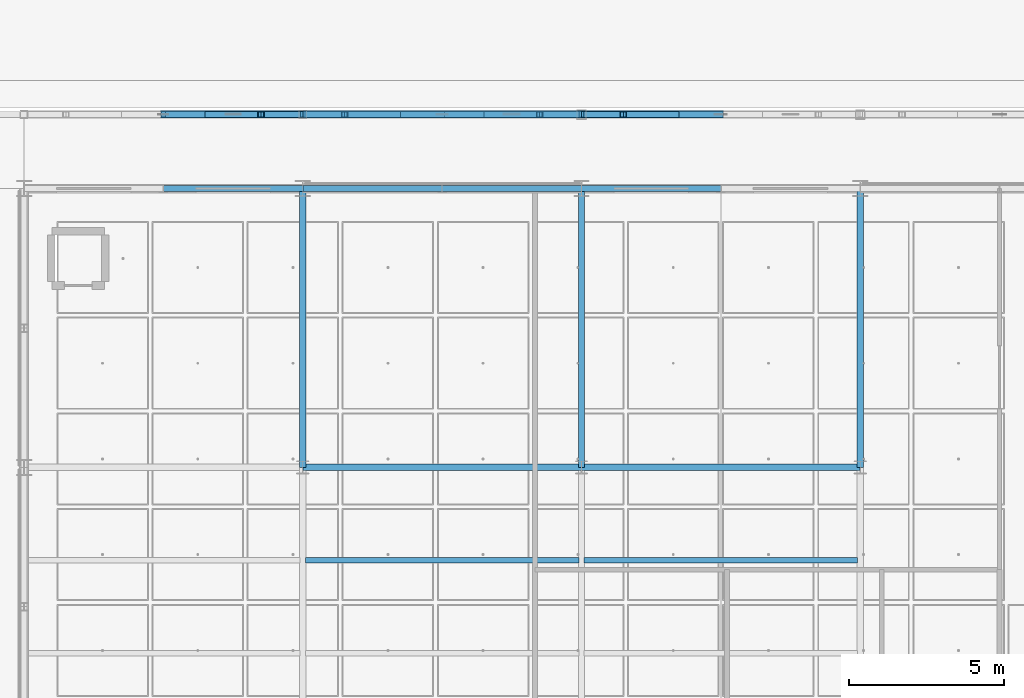
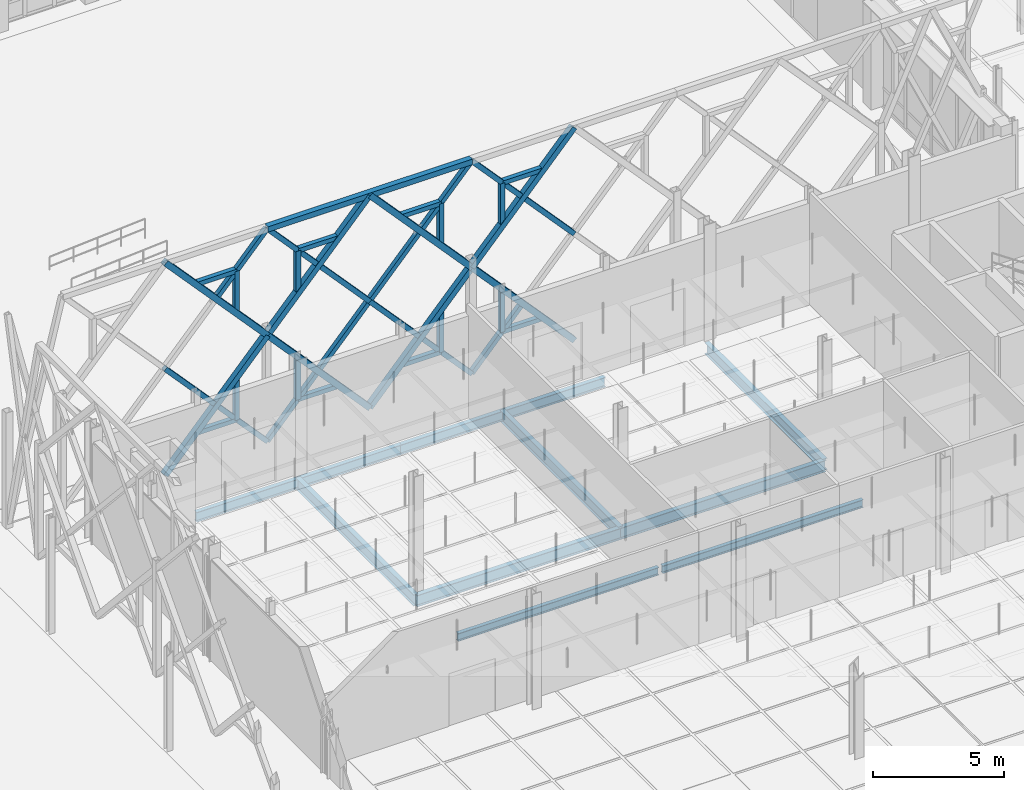
# One storey, part 43 of 180: 38 members, 11 beams.
"""IFC4 building model written with IfcOpenShell, lengths in metres."""

from ifc_helpers import new_model, si_unit, direction, frame, origin, origin_2d, place, context, subcontext, project, spatial, hollow_rectangle, i_section, extrude, material, material_profile, profile_set, type_object, element, save


model = new_model("IFC4")

# Units and contexts
model_context = context("Model", 3, precision=1e-05, world=origin(), true_north=direction((0.0, 1.0)))
body_context = subcontext(model_context, "Body", "Model", "MODEL_VIEW")
ifc_project = project(units=[si_unit("LENGTHUNIT", "METRE"), si_unit("AREAUNIT", "SQUARE_METRE"), si_unit("VOLUMEUNIT", "CUBIC_METRE"), si_unit("PLANEANGLEUNIT", "RADIAN"), si_unit("MASSUNIT", "GRAM", prefix="KILO"), si_unit("THERMODYNAMICTEMPERATUREUNIT", "KELVIN"), si_unit("POWERUNIT", "WATT")], contexts=[model_context])

# Site, building, storey
site_placement = place(None, origin())
site = spatial("IfcSite", under=ifc_project, at=site_placement, CompositionType="ELEMENT")
building_placement = place(site_placement, origin())
building = spatial("IfcBuilding", under=site, at=building_placement, Name="Tallowbark Science Centre", CompositionType="ELEMENT")
storey_placement = place(building_placement, origin())
storey = spatial("IfcBuildingStorey", under=building, at=storey_placement, Name="L00", CompositionType="ELEMENT", Elevation=0.0)

# Beams
ifc_material_1 = material(Name="Structural Steel Grade 300PLUS (300 MPa)", Category="steel")
ifc_material_profile_1 = material_profile(ifc_material_1, i_section(OverallWidth=0.208984375, OverallDepth=0.532958984375, WebThickness=0.01025390625, FlangeThickness=0.015625, FilletRadius=0.013916015625, at=origin_2d()), Name="530UB92.4")
ifc_profile_set_1 = profile_set([ifc_material_profile_1], Name="Structural Steel Grade 300PLUS (300 MPa)")
beam_type_1 = type_object("IfcBeamType", Name="BM-UB530A", PredefinedType="BEAM", material=ifc_profile_set_1)
for number, where, z_axis, x_axis, name in (
    (1, (67.5, 31.5, -0.506591796875), (1.0, 0.0, 0.0), (0.0, 1.0, 0.0), "Primary Girder GRDX-L00-675-765-315"),
    (2, (76.5, 31.5, -0.506591796875), (1.0, 0.0, 0.0), (0.0, 1.0, 0.0), "Primary Girder GRDX-L00-765-855-315"),
):
    element("IfcBeam", number, at=place(storey_placement, frame(where, z_axis=z_axis, x_axis=x_axis)), inside=storey, type_object=beam_type_1, Name=name, PredefinedType="BEAM", context=body_context, shape_type="SweptSolid", body=[
        extrude(i_section(OverallWidth=0.208984375, OverallDepth=0.532958984375, WebThickness=0.01025390625, FlangeThickness=0.015625, FilletRadius=0.013916015625, at=origin_2d()), origin(), (0.0, 0.0, 1.0), 9.0),
    ])
ifc_material_profile_2 = material_profile(ifc_material_1, i_section(OverallWidth=0.208740234375, OverallDepth=0.5283203125, WebThickness=0.009521484375, FlangeThickness=0.01318359375, FilletRadius=0.013916015625, at=origin_2d()), Name="530UB82.0")
ifc_profile_set_2 = profile_set([ifc_material_profile_2], Name="Structural Steel Grade 300PLUS (300 MPa)")
beam_type_2 = type_object("IfcBeamType", Name="BM-UB530B", PredefinedType="BEAM", material=ifc_profile_set_2)
for number, where, z_axis, x_axis, name in (
    (3, (67.5, 31.5, -0.504150390625), (0.0, 1.0, 0.0), (-1.0, 0.0, 0.0), "Primary Girder GRDY-L00-675-315-405"),
    (4, (76.5, 31.5, -0.504150390625), (0.0, 1.0, 0.0), (-1.0, 0.0, 0.0), "Primary Girder GRDY-L00-765-315-405"),
    (5, (85.5, 31.5, -0.504150390625), (0.0, 1.0, 0.0), (-1.0, 0.0, 0.0), "Primary Girder GRDY-L00-855-315-405"),
):
    element("IfcBeam", number, at=place(storey_placement, frame(where, z_axis=z_axis, x_axis=x_axis)), inside=storey, type_object=beam_type_2, Name=name, PredefinedType="BEAM", context=body_context, shape_type="SweptSolid", body=[
        extrude(i_section(OverallWidth=0.208740234375, OverallDepth=0.5283203125, WebThickness=0.009521484375, FlangeThickness=0.01318359375, FilletRadius=0.013916015625, at=origin_2d()), origin(), (0.0, 0.0, 1.0), 9.0),
    ])
ifc_material_profile_3 = material_profile(ifc_material_1, i_section(OverallWidth=0.172119140625, OverallDepth=0.358642578125, WebThickness=0.008056640625, FlangeThickness=0.012939453125, FilletRadius=0.011474609375, at=origin_2d()), Name="360UB56.7")
ifc_profile_set_3 = profile_set([ifc_material_profile_3], Name="Structural Steel Grade 300PLUS (300 MPa)")
beam_type_3 = type_object("IfcBeamType", Name="JST-UB360", PredefinedType="JOIST", material=ifc_profile_set_3)
for number, where, z_axis, x_axis, name in (
    (6, (67.5849609375, 28.5, -0.419189453125), (1.0, 0.0, 0.0), (0.0, 1.0, 0.0), "Composite Floor Joist JSTX-L00-675-285"),
    (7, (76.5849609375, 28.5, -0.419189453125), (1.0, 0.0, 0.0), (0.0, 1.0, 0.0), "Composite Floor Joist JSTX-L00-765-285"),
):
    element("IfcBeam", number, at=place(storey_placement, frame(where, z_axis=z_axis, x_axis=x_axis)), inside=storey, type_object=beam_type_3, Name=name, PredefinedType="JOIST", context=body_context, shape_type="SweptSolid", body=[
        extrude(i_section(OverallWidth=0.172119140625, OverallDepth=0.358642578125, WebThickness=0.008056640625, FlangeThickness=0.012939453125, FilletRadius=0.011474609375, at=origin_2d()), origin(), (0.0, 0.0, 1.0), 8.830078125),
    ])

# Members
ifc_material_2 = material(Name="White Architectural Painted Steel Grade C350L0 (350 MPa)", Category="steel")
ifc_material_profile_4 = material_profile(ifc_material_2, hollow_rectangle(XDim=0.25, YDim=0.25, WallThickness=0.009033203125, at=origin_2d()), Name="250x250x9.0SHS")
ifc_profile_set_4 = profile_set([ifc_material_profile_4], Name="White Architectural Painted Steel Grade C350L0 (350 MPa)")
member_type_1 = type_object("IfcMemberType", Name="SCR-CHD200", PredefinedType="CHORD", material=ifc_profile_set_4)
for number, where, z_axis, x_axis, name in (
    (8, (63.0, 42.89990234375, 0.0), (0.672676426978, 0.0, 0.739936770669), (0.0, 1.0, 0.0), "Star Screen Octagram Diamond Chord N-2-1"),
    (9, (67.5, 42.89990234375, 4.949951171875), (-0.672676426978, 0.0, 0.739936770669), (0.0, -1.0, 0.0), "Star Screen Octagram Diamond Chord N-2-2"),
):
    element("IfcMember", number, at=place(storey_placement, frame(where, z_axis=z_axis, x_axis=x_axis)), inside=storey, type_object=member_type_1, Name=name, PredefinedType="CHORD", context=body_context, shape_type="SweptSolid", body=[
        extrude(hollow_rectangle(XDim=0.25, YDim=0.25, WallThickness=0.009033203125, at=origin_2d()), origin(), (0.0, 0.0, 1.0), 6.689697265625),
    ])
member_1_placement = place(storey_placement, frame((67.5, 42.89990234375, 9.89990234375), z_axis=(1.0, 0.0, 0.0), x_axis=(0.0, 1.0, 0.0)))
element("IfcMember", 10, at=member_1_placement, inside=storey, type_object=member_type_1, Name="Star Screen Frame Chord N-4", PredefinedType="CHORD", context=body_context, shape_type="SweptSolid", body=[
    extrude(hollow_rectangle(XDim=0.25, YDim=0.25, WallThickness=0.009033203125, at=origin_2d()), origin(), (0.0, 0.0, 1.0), 9.0),
])
for number, where, z_axis, x_axis, name in (
    (11, (72.0, 42.89990234375, 0.0), (0.672676426978, 0.0, 0.739936770669), (0.0, 1.0, 0.0), "Star Screen Octagram Diamond Chord N-4-1"),
    (12, (76.5, 42.89990234375, 4.949951171875), (-0.672676426978, 0.0, 0.739936770669), (0.0, -1.0, 0.0), "Star Screen Octagram Diamond Chord N-4-2"),
    (13, (72.0, 42.89990234375, 9.89990234375), (-0.672676426978, 0.0, -0.739936770669), (0.0, -1.0, 0.0), "Star Screen Octagram Diamond Chord N-4-3"),
    (14, (67.5, 42.89990234375, 4.949951171875), (0.672676426978, 0.0, -0.739936770669), (0.0, 1.0, 0.0), "Star Screen Octagram Diamond Chord N-4-4"),
    (15, (81.0, 42.89990234375, 9.89990234375), (-0.672676426978, 0.0, -0.739936770669), (0.0, -1.0, 0.0), "Star Screen Octagram Diamond Chord N-5-3"),
    (16, (76.5, 42.89990234375, 4.949951171875), (0.672676426978, 0.0, -0.739936770669), (0.0, 1.0, 0.0), "Star Screen Octagram Diamond Chord N-5-4"),
):
    element("IfcMember", number, at=place(storey_placement, frame(where, z_axis=z_axis, x_axis=x_axis)), inside=storey, type_object=member_type_1, Name=name, PredefinedType="CHORD", context=body_context, shape_type="SweptSolid", body=[
        extrude(hollow_rectangle(XDim=0.25, YDim=0.25, WallThickness=0.009033203125, at=origin_2d()), origin(), (0.0, 0.0, 1.0), 6.689697265625),
    ])
ifc_material_profile_5 = material_profile(ifc_material_2, hollow_rectangle(XDim=0.199951171875, YDim=0.199951171875, WallThickness=0.009033203125, at=origin_2d()), Name="200x200x9.0SHS")
ifc_profile_set_5 = profile_set([ifc_material_profile_5], Name="White Architectural Painted Steel Grade C350L0 (350 MPa)")
member_type_2 = type_object("IfcMemberType", Name="SCR-STAR139", PredefinedType="BRACE", material=ifc_profile_set_5)
for number, where, z_axis, x_axis, name in (
    (17, (65.25, 42.89990234375, 7.425048828125), (0.672694592231, 0.0, 0.739920256233), (0.0, 1.0, 0.0), "Star Screen Continuous X-Diagonal D1B N-2"),
    (18, (63.0, 42.89990234375, 4.949951171875), (0.672694592231, 0.0, -0.739920256233), (0.0, 1.0, 0.0), "Star Screen Split X-Diagonal D2C N-2"),
):
    element("IfcMember", number, at=place(storey_placement, frame(where, z_axis=z_axis, x_axis=x_axis)), inside=storey, type_object=member_type_2, Name=name, PredefinedType="BRACE", context=body_context, shape_type="SweptSolid", body=[
        extrude(hollow_rectangle(XDim=0.199951171875, YDim=0.199951171875, WallThickness=0.009033203125, at=origin_2d()), origin(), (0.0, 0.0, 1.0), 3.3447265625),
    ])
for number, where, z_axis, x_axis, name in (
    (19, (65.25, 42.89990234375, 2.47509765625), (0.672658262301, 0.0, -0.739953283768), (0.0, 1.0, 0.0), "Star Screen Split X-Diagonal D2D N-2"),
    (20, (67.5, 42.89990234375, 0.0), (0.672658262301, 0.0, 0.739953283768), (0.0, 1.0, 0.0), "Star Screen Continuous X-Diagonal D1A N-4"),
):
    element("IfcMember", number, at=place(storey_placement, frame(where, z_axis=z_axis, x_axis=x_axis)), inside=storey, type_object=member_type_2, Name=name, PredefinedType="BRACE", context=body_context, shape_type="SweptSolid", body=[
        extrude(hollow_rectangle(XDim=0.199951171875, YDim=0.199951171875, WallThickness=0.009033203125, at=origin_2d()), origin(), (0.0, 0.0, 1.0), 3.344970703125),
    ])
member_2_placement = place(storey_placement, frame((69.75, 42.89990234375, 2.47509765625), z_axis=(0.672676426978, 0.0, 0.739936770669), x_axis=(0.0, 1.0, 0.0)))
element("IfcMember", 21, at=member_2_placement, inside=storey, type_object=member_type_2, Name="Star Screen Continuous X-Diagonal D1M N-4", PredefinedType="BRACE", context=body_context, shape_type="SweptSolid", body=[
    extrude(hollow_rectangle(XDim=0.199951171875, YDim=0.199951171875, WallThickness=0.009033203125, at=origin_2d()), origin(), (0.0, 0.0, 1.0), 6.689697265625),
])
for number, where, z_axis, x_axis, name in (
    (22, (74.25, 42.89990234375, 7.425048828125), (0.672694592231, 0.0, 0.739920256233), (0.0, 1.0, 0.0), "Star Screen Continuous X-Diagonal D1B N-4"),
    (23, (67.5, 42.89990234375, 9.89990234375), (0.672694592231, 0.0, -0.739920256233), (0.0, 1.0, 0.0), "Star Screen Split X-Diagonal D2A N-4"),
):
    element("IfcMember", number, at=place(storey_placement, frame(where, z_axis=z_axis, x_axis=x_axis)), inside=storey, type_object=member_type_2, Name=name, PredefinedType="BRACE", context=body_context, shape_type="SweptSolid", body=[
        extrude(hollow_rectangle(XDim=0.199951171875, YDim=0.199951171875, WallThickness=0.009033203125, at=origin_2d()), origin(), (0.0, 0.0, 1.0), 3.3447265625),
    ])
member_3_placement = place(storey_placement, frame((69.75, 42.89990234375, 7.425048828125), z_axis=(0.672658262301, 0.0, -0.739953283768), x_axis=(0.0, 1.0, 0.0)))
element("IfcMember", 24, at=member_3_placement, inside=storey, type_object=member_type_2, Name="Star Screen Split X-Diagonal D2B N-4", PredefinedType="BRACE", context=body_context, shape_type="SweptSolid", body=[
    extrude(hollow_rectangle(XDim=0.199951171875, YDim=0.199951171875, WallThickness=0.009033203125, at=origin_2d()), origin(), (0.0, 0.0, 1.0), 3.344970703125),
])
member_4_placement = place(storey_placement, frame((72.0, 42.89990234375, 4.949951171875), z_axis=(0.672694592231, 0.0, -0.739920256233), x_axis=(0.0, 1.0, 0.0)))
element("IfcMember", 25, at=member_4_placement, inside=storey, type_object=member_type_2, Name="Star Screen Split X-Diagonal D2C N-4", PredefinedType="BRACE", context=body_context, shape_type="SweptSolid", body=[
    extrude(hollow_rectangle(XDim=0.199951171875, YDim=0.199951171875, WallThickness=0.009033203125, at=origin_2d()), origin(), (0.0, 0.0, 1.0), 3.3447265625),
])
for number, where, z_axis, x_axis, name in (
    (26, (74.25, 42.89990234375, 2.47509765625), (0.672658262301, 0.0, -0.739953283768), (0.0, 1.0, 0.0), "Star Screen Split X-Diagonal D2D N-4"),
    (27, (76.5, 42.89990234375, 0.0), (0.672658262301, 0.0, 0.739953283768), (0.0, 1.0, 0.0), "Star Screen Continuous X-Diagonal D1A N-5"),
):
    element("IfcMember", number, at=place(storey_placement, frame(where, z_axis=z_axis, x_axis=x_axis)), inside=storey, type_object=member_type_2, Name=name, PredefinedType="BRACE", context=body_context, shape_type="SweptSolid", body=[
        extrude(hollow_rectangle(XDim=0.199951171875, YDim=0.199951171875, WallThickness=0.009033203125, at=origin_2d()), origin(), (0.0, 0.0, 1.0), 3.344970703125),
    ])
member_5_placement = place(storey_placement, frame((76.5, 42.89990234375, 9.89990234375), z_axis=(0.672694592231, 0.0, -0.739920256233), x_axis=(0.0, 1.0, 0.0)))
element("IfcMember", 28, at=member_5_placement, inside=storey, type_object=member_type_2, Name="Star Screen Split X-Diagonal D2A N-5", PredefinedType="BRACE", context=body_context, shape_type="SweptSolid", body=[
    extrude(hollow_rectangle(XDim=0.199951171875, YDim=0.199951171875, WallThickness=0.009033203125, at=origin_2d()), origin(), (0.0, 0.0, 1.0), 3.3447265625),
])
member_6_placement = place(storey_placement, frame((78.75, 42.89990234375, 7.425048828125), z_axis=(0.672658262301, 0.0, -0.739953283768), x_axis=(0.0, 1.0, 0.0)))
element("IfcMember", 29, at=member_6_placement, inside=storey, type_object=member_type_2, Name="Star Screen Split X-Diagonal D2B N-5", PredefinedType="BRACE", context=body_context, shape_type="SweptSolid", body=[
    extrude(hollow_rectangle(XDim=0.199951171875, YDim=0.199951171875, WallThickness=0.009033203125, at=origin_2d()), origin(), (0.0, 0.0, 1.0), 3.344970703125),
])
ifc_material_profile_6 = material_profile(ifc_material_2, hollow_rectangle(XDim=0.199951171875, YDim=0.199951171875, WallThickness=0.009033203125, at=origin_2d()), Name="200x200x9.0SHS")
ifc_profile_set_6 = profile_set([ifc_material_profile_6], Name="White Architectural Painted Steel Grade C350L0 (350 MPa)")
member_type_3 = type_object("IfcMemberType", Name="SCR-SUB150", PredefinedType="BRACE", material=ifc_profile_set_6)
member_7_placement = place(storey_placement, frame((66.14990234375, 42.89990234375, 1.485107421875), z_axis=(-1.0, 0.0, 0.0), x_axis=(0.0, -1.0, 0.0)))
element("IfcMember", 30, at=member_7_placement, inside=storey, type_object=member_type_3, Name="Star Screen Octagram Point Ray N-2-3", PredefinedType="BRACE", context=body_context, shape_type="SweptSolid", body=[
    extrude(hollow_rectangle(XDim=0.199951171875, YDim=0.199951171875, WallThickness=0.009033203125, at=origin_2d()), origin(), (0.0, 0.0, 1.0), 1.7998046875),
])
member_8_placement = place(storey_placement, frame((66.14990234375, 42.89990234375, 1.485107421875), z_axis=(0.0, 0.0, 1.0), x_axis=(1.0, 0.0, 0.0)))
element("IfcMember", 31, at=member_8_placement, inside=storey, type_object=member_type_3, Name="Star Screen Octagram Point Ray N-2-4", PredefinedType="BRACE", context=body_context, shape_type="SweptSolid", body=[
    extrude(hollow_rectangle(XDim=0.199951171875, YDim=0.199951171875, WallThickness=0.009033203125, at=origin_2d()), origin(), (0.0, 0.0, 1.0), 1.97998046875),
])
member_9_placement = place(storey_placement, frame((66.14990234375, 42.89990234375, 8.4150390625), z_axis=(-1.0, 0.0, 0.0), x_axis=(0.0, -1.0, 0.0)))
element("IfcMember", 32, at=member_9_placement, inside=storey, type_object=member_type_3, Name="Star Screen Octagram Point Ray N-2-5", PredefinedType="BRACE", context=body_context, shape_type="SweptSolid", body=[
    extrude(hollow_rectangle(XDim=0.199951171875, YDim=0.199951171875, WallThickness=0.009033203125, at=origin_2d()), origin(), (0.0, 0.0, 1.0), 1.7998046875),
])
member_10_placement = place(storey_placement, frame((66.14990234375, 42.89990234375, 8.4150390625), z_axis=(0.0, 0.0, -1.0), x_axis=(1.0, 0.0, 0.0)))
element("IfcMember", 33, at=member_10_placement, inside=storey, type_object=member_type_3, Name="Star Screen Octagram Point Ray N-2-6", PredefinedType="BRACE", context=body_context, shape_type="SweptSolid", body=[
    extrude(hollow_rectangle(XDim=0.199951171875, YDim=0.199951171875, WallThickness=0.009033203125, at=origin_2d()), origin(), (0.0, 0.0, 1.0), 1.97998046875),
])
member_11_placement = place(storey_placement, frame((68.85009765625, 42.89990234375, 1.485107421875), z_axis=(1.0, 0.0, 0.0), x_axis=(0.0, 1.0, 0.0)))
element("IfcMember", 34, at=member_11_placement, inside=storey, type_object=member_type_3, Name="Star Screen Octagram Point Ray N-4-1", PredefinedType="BRACE", context=body_context, shape_type="SweptSolid", body=[
    extrude(hollow_rectangle(XDim=0.199951171875, YDim=0.199951171875, WallThickness=0.009033203125, at=origin_2d()), origin(), (0.0, 0.0, 1.0), 1.7998046875),
])
member_12_placement = place(storey_placement, frame((68.85009765625, 42.89990234375, 1.485107421875), z_axis=(0.0, 0.0, 1.0), x_axis=(1.0, 0.0, 0.0)))
element("IfcMember", 35, at=member_12_placement, inside=storey, type_object=member_type_3, Name="Star Screen Octagram Point Ray N-4-2", PredefinedType="BRACE", context=body_context, shape_type="SweptSolid", body=[
    extrude(hollow_rectangle(XDim=0.199951171875, YDim=0.199951171875, WallThickness=0.009033203125, at=origin_2d()), origin(), (0.0, 0.0, 1.0), 1.97998046875),
])
member_13_placement = place(storey_placement, frame((75.14990234375, 42.89990234375, 1.485107421875), z_axis=(-1.0, 0.0, 0.0), x_axis=(0.0, -1.0, 0.0)))
element("IfcMember", 36, at=member_13_placement, inside=storey, type_object=member_type_3, Name="Star Screen Octagram Point Ray N-4-3", PredefinedType="BRACE", context=body_context, shape_type="SweptSolid", body=[
    extrude(hollow_rectangle(XDim=0.199951171875, YDim=0.199951171875, WallThickness=0.009033203125, at=origin_2d()), origin(), (0.0, 0.0, 1.0), 1.7998046875),
])
member_14_placement = place(storey_placement, frame((75.14990234375, 42.89990234375, 1.485107421875), z_axis=(0.0, 0.0, 1.0), x_axis=(1.0, 0.0, 0.0)))
element("IfcMember", 37, at=member_14_placement, inside=storey, type_object=member_type_3, Name="Star Screen Octagram Point Ray N-4-4", PredefinedType="BRACE", context=body_context, shape_type="SweptSolid", body=[
    extrude(hollow_rectangle(XDim=0.199951171875, YDim=0.199951171875, WallThickness=0.009033203125, at=origin_2d()), origin(), (0.0, 0.0, 1.0), 1.97998046875),
])
member_15_placement = place(storey_placement, frame((75.14990234375, 42.89990234375, 8.4150390625), z_axis=(-1.0, 0.0, 0.0), x_axis=(0.0, -1.0, 0.0)))
element("IfcMember", 38, at=member_15_placement, inside=storey, type_object=member_type_3, Name="Star Screen Octagram Point Ray N-4-5", PredefinedType="BRACE", context=body_context, shape_type="SweptSolid", body=[
    extrude(hollow_rectangle(XDim=0.199951171875, YDim=0.199951171875, WallThickness=0.009033203125, at=origin_2d()), origin(), (0.0, 0.0, 1.0), 1.7998046875),
])
member_16_placement = place(storey_placement, frame((75.14990234375, 42.89990234375, 8.4150390625), z_axis=(0.0, 0.0, -1.0), x_axis=(1.0, 0.0, 0.0)))
element("IfcMember", 39, at=member_16_placement, inside=storey, type_object=member_type_3, Name="Star Screen Octagram Point Ray N-4-6", PredefinedType="BRACE", context=body_context, shape_type="SweptSolid", body=[
    extrude(hollow_rectangle(XDim=0.199951171875, YDim=0.199951171875, WallThickness=0.009033203125, at=origin_2d()), origin(), (0.0, 0.0, 1.0), 1.97998046875),
])
member_17_placement = place(storey_placement, frame((68.85009765625, 42.89990234375, 8.4150390625), z_axis=(1.0, 0.0, 0.0), x_axis=(0.0, 1.0, 0.0)))
element("IfcMember", 40, at=member_17_placement, inside=storey, type_object=member_type_3, Name="Star Screen Octagram Point Ray N-4-7", PredefinedType="BRACE", context=body_context, shape_type="SweptSolid", body=[
    extrude(hollow_rectangle(XDim=0.199951171875, YDim=0.199951171875, WallThickness=0.009033203125, at=origin_2d()), origin(), (0.0, 0.0, 1.0), 1.7998046875),
])
member_18_placement = place(storey_placement, frame((68.85009765625, 42.89990234375, 8.4150390625), z_axis=(0.0, 0.0, -1.0), x_axis=(1.0, 0.0, 0.0)))
element("IfcMember", 41, at=member_18_placement, inside=storey, type_object=member_type_3, Name="Star Screen Octagram Point Ray N-4-8", PredefinedType="BRACE", context=body_context, shape_type="SweptSolid", body=[
    extrude(hollow_rectangle(XDim=0.199951171875, YDim=0.199951171875, WallThickness=0.009033203125, at=origin_2d()), origin(), (0.0, 0.0, 1.0), 1.97998046875),
])
member_19_placement = place(storey_placement, frame((77.85009765625, 42.89990234375, 1.485107421875), z_axis=(1.0, 0.0, 0.0), x_axis=(0.0, 1.0, 0.0)))
element("IfcMember", 42, at=member_19_placement, inside=storey, type_object=member_type_3, Name="Star Screen Octagram Point Ray N-5-1", PredefinedType="BRACE", context=body_context, shape_type="SweptSolid", body=[
    extrude(hollow_rectangle(XDim=0.199951171875, YDim=0.199951171875, WallThickness=0.009033203125, at=origin_2d()), origin(), (0.0, 0.0, 1.0), 1.7998046875),
])
member_20_placement = place(storey_placement, frame((77.85009765625, 42.89990234375, 1.485107421875), z_axis=(0.0, 0.0, 1.0), x_axis=(1.0, 0.0, 0.0)))
element("IfcMember", 43, at=member_20_placement, inside=storey, type_object=member_type_3, Name="Star Screen Octagram Point Ray N-5-2", PredefinedType="BRACE", context=body_context, shape_type="SweptSolid", body=[
    extrude(hollow_rectangle(XDim=0.199951171875, YDim=0.199951171875, WallThickness=0.009033203125, at=origin_2d()), origin(), (0.0, 0.0, 1.0), 1.97998046875),
])
member_21_placement = place(storey_placement, frame((77.85009765625, 42.89990234375, 8.4150390625), z_axis=(1.0, 0.0, 0.0), x_axis=(0.0, 1.0, 0.0)))
element("IfcMember", 44, at=member_21_placement, inside=storey, type_object=member_type_3, Name="Star Screen Octagram Point Ray N-5-7", PredefinedType="BRACE", context=body_context, shape_type="SweptSolid", body=[
    extrude(hollow_rectangle(XDim=0.199951171875, YDim=0.199951171875, WallThickness=0.009033203125, at=origin_2d()), origin(), (0.0, 0.0, 1.0), 1.7998046875),
])
member_22_placement = place(storey_placement, frame((77.85009765625, 42.89990234375, 8.4150390625), z_axis=(0.0, 0.0, -1.0), x_axis=(1.0, 0.0, 0.0)))
element("IfcMember", 45, at=member_22_placement, inside=storey, type_object=member_type_3, Name="Star Screen Octagram Point Ray N-5-8", PredefinedType="BRACE", context=body_context, shape_type="SweptSolid", body=[
    extrude(hollow_rectangle(XDim=0.199951171875, YDim=0.199951171875, WallThickness=0.009033203125, at=origin_2d()), origin(), (0.0, 0.0, 1.0), 1.97998046875),
])

# Beams
ifc_material_profile_7 = material_profile(ifc_material_1, i_section(OverallWidth=0.18994140625, OverallDepth=0.453857421875, WebThickness=0.008544921875, FlangeThickness=0.0126953125, FilletRadius=0.011474609375, at=origin_2d()), Name="460UB67.1")
ifc_profile_set_7 = profile_set([ifc_material_profile_7], Name="Structural Steel Grade 300PLUS (300 MPa)")
beam_type_4 = type_object("IfcBeamType", Name="SPN-UB460", PredefinedType="SPANDREL", material=ifc_profile_set_7)
for number, where, z_axis, x_axis, name in (
    (46, (63.0, 40.5, -0.491943359375), (1.0, 0.0, 0.0), (0.0, 1.0, 0.0), "Primary Girder GRDX-L00-630-675-405"),
    (47, (67.5, 40.5, -0.491943359375), (1.0, 0.0, 0.0), (0.0, 1.0, 0.0), "Primary Girder GRDX-L00-675-720-405"),
    (48, (72.0, 40.5, -0.491943359375), (1.0, 0.0, 0.0), (0.0, 1.0, 0.0), "Primary Girder GRDX-L00-720-765-405"),
    (49, (76.5, 40.5, -0.491943359375), (1.0, 0.0, 0.0), (0.0, 1.0, 0.0), "Primary Girder GRDX-L00-765-810-405"),
):
    element("IfcBeam", number, at=place(storey_placement, frame(where, z_axis=z_axis, x_axis=x_axis)), inside=storey, type_object=beam_type_4, Name=name, PredefinedType="SPANDREL", context=body_context, shape_type="SweptSolid", body=[
        extrude(i_section(OverallWidth=0.18994140625, OverallDepth=0.453857421875, WebThickness=0.008544921875, FlangeThickness=0.0126953125, FilletRadius=0.011474609375, at=origin_2d()), origin(), (0.0, 0.0, 1.0), 4.5),
    ])

save(model, "model.ifc")
